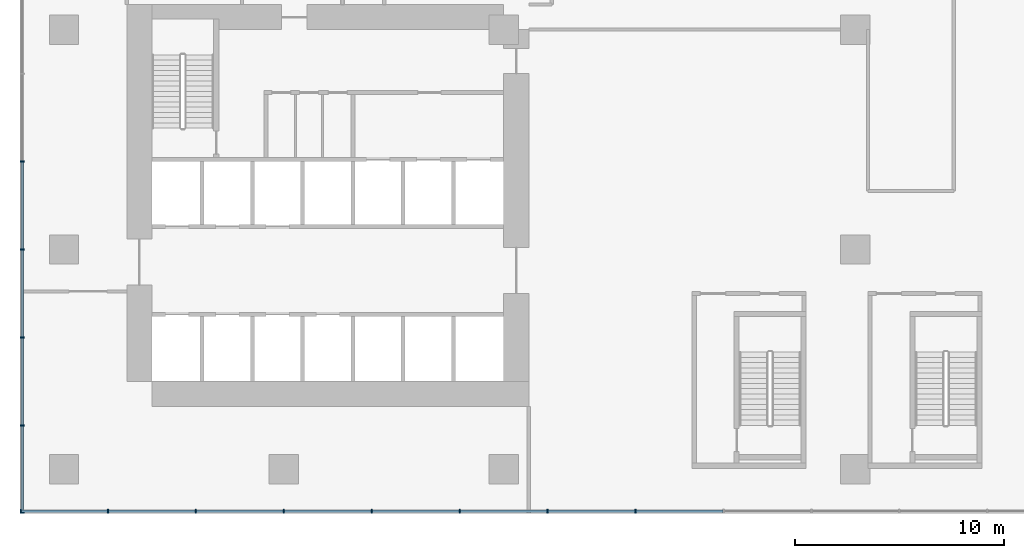
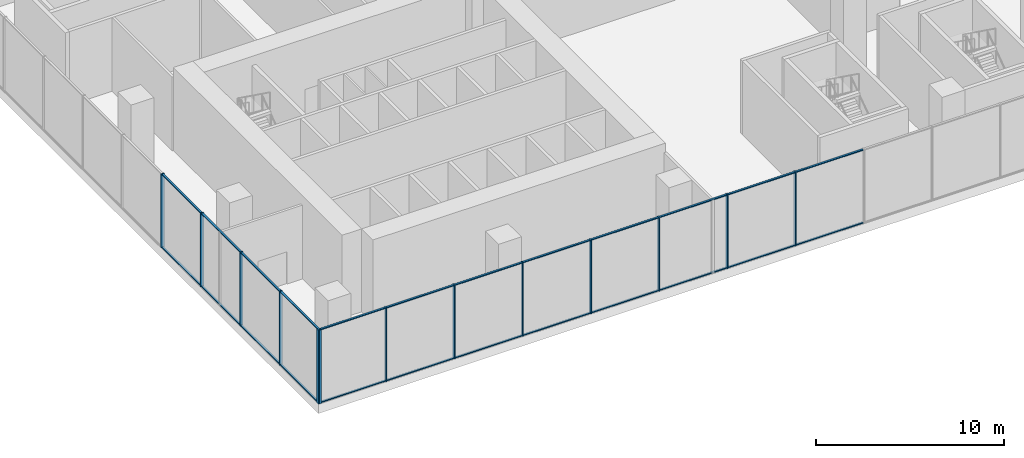
# One storey, part 2 of 22: 37 members, 2 elements without a shape of their own.
"""IFC4 building model written with IfcOpenShell, lengths in metres."""

import ifcopenshell
import ifcopenshell.guid

model = None  # the IFC model being written
_history = None  # IfcOwnerHistory: only IFC2X3 demands one
_inside = {}  # id of a spatial element -> (the spatial element, [elements in it])
_under = {}  # id of a project, library or spatial element -> (it, [spatial elements below it])
_declared = {}  # id of a project -> (the project, [libraries it declares])
_typed = {}  # id of a type object -> (the type object, [elements of that type])
_made_of = {}  # id of a material, layer set ... -> (it, [elements and type objects made of it])


def new_model(schema):
    """Start an empty IFC model of exactly this schema.

    Asked for "IFC4X3", IfcOpenShell would pick the latest addendum, in which some entities
    have other attributes; the version numbers below select the first issue.
    IFC2X3 requires an IfcOwnerHistory on every rooted entity: one is made here for all.
    """
    global model, _history
    if schema == "IFC4X3":
        model = ifcopenshell.file(schema_version=(4, 3, 0, 0))
    else:
        model = ifcopenshell.file(schema=schema)
    _inside.clear()
    _under.clear()
    _declared.clear()
    _typed.clear()
    _made_of.clear()
    _history = None
    if model.schema == "IFC2X3":
        org = make("IfcOrganization", Name="unknown")
        user = make(
            "IfcPersonAndOrganization",
            ThePerson=make("IfcPerson", FamilyName="unknown"),
            TheOrganization=org,
        )
        app = make(
            "IfcApplication",
            ApplicationDeveloper=org,
            Version="unknown",
            ApplicationFullName="unknown",
            ApplicationIdentifier="unknown",
        )
        _history = make(
            "IfcOwnerHistory",
            OwningUser=user,
            OwningApplication=app,
            ChangeAction="ADDED",
            CreationDate=0,
        )
    return model


def make(cls, **values):
    """One entity of the class cls with the attributes given. An attribute that is None is left unset."""
    return model.create_entity(
        cls, **{name: value for name, value in values.items() if value is not None}
    )


def rooted(cls, **values):
    """An entity with a GlobalId (a new one), such as an element, a storey or a relation."""
    return make(cls, GlobalId=ifcopenshell.guid.new(), OwnerHistory=_history, **values)


def si_unit(unit_type, name, prefix=None):
    """IfcSIUnit, for example si_unit("LENGTHUNIT", "METRE", prefix="MILLI")."""
    return make("IfcSIUnit", UnitType=unit_type, Prefix=prefix, Name=name)


def assignment(units):
    """IfcUnitAssignment: the units of a project."""
    return None if units is None else make("IfcUnitAssignment", Units=units)


def point(xyz):
    """IfcCartesianPoint."""
    return None if xyz is None else make("IfcCartesianPoint", Coordinates=xyz)


def direction(xyz):
    """IfcDirection."""
    return None if xyz is None else make("IfcDirection", DirectionRatios=xyz)


def frame(location, z_axis=None, x_axis=None):
    """IfcAxis2Placement3D, a coordinate frame: its origin and axes. An axis left out is left unset."""
    return make(
        "IfcAxis2Placement3D",
        Location=point(location),
        Axis=direction(z_axis),
        RefDirection=direction(x_axis),
    )


def frame_2d(location, x_axis=None):
    """IfcAxis2Placement2D, a coordinate frame in the plane: its origin and x axis."""
    return make(
        "IfcAxis2Placement2D", Location=point(location), RefDirection=direction(x_axis)
    )


def origin():
    """The frame at (0, 0, 0) with its axes left unset."""
    return frame((0.0, 0.0, 0.0))


def origin_2d():
    """The frame at (0, 0) in the plane with its x axis left unset."""
    return frame_2d((0.0, 0.0))


def place(relative_to, where):
    """IfcLocalPlacement: puts the frame where relative to a parent placement (None: the world)."""
    return make(
        "IfcLocalPlacement", PlacementRelTo=relative_to, RelativePlacement=where
    )


def context(
    kind, dimensions, precision=None, world=None, true_north=None, identifier=None
):
    """IfcGeometricRepresentationContext, for example the 3D "Model" context."""
    return make(
        "IfcGeometricRepresentationContext",
        ContextIdentifier=identifier,
        ContextType=kind,
        CoordinateSpaceDimension=dimensions,
        Precision=precision,
        WorldCoordinateSystem=world,
        TrueNorth=true_north,
    )


def subcontext(parent, identifier, kind, view, scale=None):
    """IfcGeometricRepresentationSubContext, for example "Body" below "Model"."""
    return make(
        "IfcGeometricRepresentationSubContext",
        ContextIdentifier=identifier,
        ContextType=kind,
        ParentContext=parent,
        TargetScale=scale,
        TargetView=view,
    )


def project(units=None, contexts=None):
    """IfcProject with its units and contexts."""
    return rooted(
        "IfcProject",
        Name="project",
        RepresentationContexts=contexts,
        UnitsInContext=assignment(units),
    )


def spatial(cls, under=None, at=None, **own):
    """A site, building, storey or space (cls), placed at a placement, below another one or the project."""
    s = rooted(cls, ObjectPlacement=at, **own)
    if under is not None:
        _under.setdefault(under.id(), (under, []))[1].append(s)
    return s


def profile(cls, at=None, kind="AREA", **sizes):
    """A parametric profile (cls). Its sizes go by their IFC names, for example OverallWidth=200.0."""
    return make(cls, ProfileType=kind, Position=at, **sizes)


def rectangle(**sizes):
    """IfcRectangleProfileDef."""
    return profile("IfcRectangleProfileDef", **sizes)


def extrude(swept, where, along, depth):
    """IfcExtrudedAreaSolid: the profile swept, set in the frame where, extruded along a direction by depth."""
    return make(
        "IfcExtrudedAreaSolid",
        SweptArea=swept,
        Position=where,
        ExtrudedDirection=direction(along),
        Depth=depth,
    )


def shape(context_of_items, identifier, shape_type, items):
    """IfcShapeRepresentation: the items that make up one representation, for example the "Body"."""
    return make(
        "IfcShapeRepresentation",
        ContextOfItems=context_of_items,
        RepresentationIdentifier=identifier,
        RepresentationType=shape_type,
        Items=items,
    )


def source(mapping_origin, context_of_items, identifier, shape_type, items):
    """IfcRepresentationMap: a shape defined once, which mapped items show again and again."""
    return make(
        "IfcRepresentationMap",
        MappingOrigin=mapping_origin,
        MappedRepresentation=shape(context_of_items, identifier, shape_type, items),
    )


def transform(
    local_origin,
    x_axis=None,
    y_axis=None,
    z_axis=None,
    scale=None,
    scale2=None,
    scale3=None,
    uniform=True,
):
    """IfcCartesianTransformationOperator3D, or its non-uniform kind. x_axis, y_axis, z_axis: its Axis1, 2, 3."""
    if uniform:
        return make(
            "IfcCartesianTransformationOperator3D",
            Axis1=direction(x_axis),
            Axis2=direction(y_axis),
            LocalOrigin=point(local_origin),
            Scale=scale,
            Axis3=direction(z_axis),
        )
    return make(
        "IfcCartesianTransformationOperator3DnonUniform",
        Axis1=direction(x_axis),
        Axis2=direction(y_axis),
        LocalOrigin=point(local_origin),
        Scale=scale,
        Axis3=direction(z_axis),
        Scale2=scale2,
        Scale3=scale3,
    )


def mapped(mapping_source, mapping_target):
    """IfcMappedItem: shows the shape of a source again, moved by a transform."""
    return make(
        "IfcMappedItem", MappingSource=mapping_source, MappingTarget=mapping_target
    )


def material(Name=None, Category=None):
    """IfcMaterial."""
    return make("IfcMaterial", Name=Name, Category=Category)


def layer(
    of_material, thickness, ventilated=None, Name=None, Category=None, Priority=None
):
    """IfcMaterialLayer: one layer of a wall or slab, of a material (None: an air gap)."""
    return make(
        "IfcMaterialLayer",
        Material=of_material,
        LayerThickness=thickness,
        IsVentilated=ventilated,
        Name=Name,
        Category=Category,
        Priority=Priority,
    )


def layer_set(layers, Name=None):
    """IfcMaterialLayerSet."""
    return make("IfcMaterialLayerSet", MaterialLayers=layers, LayerSetName=Name)


def material_profile(
    of_material, cross_section, Name=None, Category=None, Priority=None
):
    """IfcMaterialProfile: a cross section and its material."""
    return make(
        "IfcMaterialProfile",
        Name=Name,
        Material=of_material,
        Profile=cross_section,
        Priority=Priority,
        Category=Category,
    )


def profile_set(profiles, Name=None, composite=None):
    """IfcMaterialProfileSet."""
    return make(
        "IfcMaterialProfileSet",
        Name=Name,
        MaterialProfiles=profiles,
        CompositeProfile=composite,
    )


def made_of(thing, what):
    """Note that an element or type object is made of a material, layer set ...; save() writes the relation."""
    if what is not None:
        _made_of.setdefault(what.id(), (what, []))[1].append(thing)
    return thing


def type_object(cls, material=None, **own):
    """A type object (cls), such as IfcWallType, which elements share."""
    return made_of(rooted(cls, **own), material)


def element(
    cls,
    number,
    at=None,
    inside=None,
    cuts=None,
    type_object=None,
    material=None,
    context=None,
    identifier="Body",
    shape_type=None,
    held_by="IfcProductDefinitionShape",
    body=None,
    shapes=None,
    **own,
):
    """One element of the class cls, such as IfcWall. Its Tag is "e" and its number.

    at: its placement. inside: the storey or other place that contains it. cuts: it is an
    opening in that element (IfcRelVoidsElement). A single representation is given by context,
    identifier, shape_type and body (its items); several are given by shapes. held_by: the class
    of the entity that holds the representations. save() writes the other relations.
    """
    e = rooted(cls, Tag="e%d" % number, ObjectPlacement=at, **own)
    if body is not None:
        shapes = [shape(context, identifier, shape_type, body)]
    if shapes is not None:
        e.Representation = make(held_by, Representations=shapes)
    if inside is not None:
        _inside.setdefault(inside.id(), (inside, []))[1].append(e)
    if cuts is not None:
        rooted(
            "IfcRelVoidsElement", RelatingBuildingElement=cuts, RelatedOpeningElement=e
        )
    if type_object is not None:
        _typed.setdefault(type_object.id(), (type_object, []))[1].append(e)
    return made_of(e, material)


def aggregate(whole, parts):
    """IfcRelAggregates: a whole, such as a stair, and the parts it consists of."""
    return rooted("IfcRelAggregates", RelatingObject=whole, RelatedObjects=parts)


def save(model, path):
    """Write the relations noted so far, then the file.

    IfcRelAggregates (storeys below a building ...), IfcRelContainedInSpatialStructure (elements
    in a storey), IfcRelDefinesByType, IfcRelAssociatesMaterial and IfcRelDeclares: one each for
    every whole, place, type object, material and project.
    """
    for whole, parts in _under.values():
        aggregate(whole, parts)
    for where, things in _inside.values():
        rooted(
            "IfcRelContainedInSpatialStructure",
            RelatedElements=things,
            RelatingStructure=where,
        )
    for kind, things in _typed.values():
        rooted("IfcRelDefinesByType", RelatedObjects=things, RelatingType=kind)
    for what, things in _made_of.values():
        rooted("IfcRelAssociatesMaterial", RelatedObjects=things, RelatingMaterial=what)
    for by, libraries in _declared.values():
        rooted("IfcRelDeclares", RelatingContext=by, RelatedDefinitions=libraries)
    model.write(path)


model = new_model("IFC4")

# Units and contexts
model_context = context("Model", 3, precision=1e-05, world=origin(), true_north=direction((0.0, 1.0)))
body_context = subcontext(model_context, "Body", "Model", "MODEL_VIEW")
ifc_project = project(units=[si_unit("LENGTHUNIT", "METRE"), si_unit("AREAUNIT", "SQUARE_METRE"), si_unit("VOLUMEUNIT", "CUBIC_METRE"), si_unit("PLANEANGLEUNIT", "RADIAN"), si_unit("MASSUNIT", "GRAM", prefix="KILO")], contexts=[model_context])

# Site, building, storey
site_placement = place(None, origin())
site = spatial("IfcSite", under=ifc_project, at=site_placement, CompositionType="ELEMENT")
building_placement = place(site_placement, origin())
building = spatial("IfcBuilding", under=site, at=building_placement, Name="Aurelian Terraces", CompositionType="ELEMENT")
storey_placement = place(building_placement, frame((0.0, 0.0, 7.5)))
storey = spatial("IfcBuildingStorey", under=building, at=storey_placement, Name="L01", CompositionType="ELEMENT", Elevation=7.5)

# Curtain wall, members
ifc_material_1 = material(Name="Anodised aluminium and clear glazing", Category="aluminium")
ifc_layer = layer(ifc_material_1, 0.2)
ifc_layer_set = layer_set([ifc_layer], Name="Podium shopfront curtain wall")
curtain_wall_type = type_object("IfcCurtainWallType", Name="Podium shopfront curtain wall", PredefinedType="NOTDEFINED", material=ifc_layer_set)
curtain_wall_1_placement = place(storey_placement, origin())
curtain_wall_1 = element("IfcCurtainWall", 1, at=curtain_wall_1_placement, inside=storey, type_object=curtain_wall_type, Name="Podium shopfront L01 F01.1", PredefinedType="NOTDEFINED")
ifc_material_2 = material(Name="Anodised aluminium", Category="aluminium")
ifc_material_profile_1 = material_profile(ifc_material_2, rectangle(XDim=0.2, YDim=0.06, at=origin_2d()))
ifc_profile_set_1 = profile_set([ifc_material_profile_1], Name="Anodised aluminium")
member_type_1 = type_object("IfcMemberType", Name="Podium shopfront mullion", PredefinedType="MULLION", material=ifc_profile_set_1)
member_1_placement = place(storey_placement, frame((-2.07, -2.0, 0.0), z_axis=(0.0, 0.0, 1.0), x_axis=(0.0, 1.0, 0.0)))
member_1 = element("IfcMember", 2, at=member_1_placement, type_object=member_type_1, Name="CW1 mullion 1", PredefinedType="MULLION", context=body_context, shape_type="SweptSolid", body=[
    extrude(rectangle(XDim=0.2, YDim=0.06, at=origin_2d()), origin(), (0.0, 0.0, 1.0), 4.8),
])
ifc_material_profile_2 = material_profile(ifc_material_2, rectangle(XDim=0.12, YDim=0.06, at=origin_2d()))
ifc_profile_set_2 = profile_set([ifc_material_profile_2], Name="Anodised aluminium")
member_type_2 = type_object("IfcMemberType", Name="Podium shopfront transom", PredefinedType="USERDEFINED", material=ifc_profile_set_2)
member_2_placement = place(storey_placement, frame((-2.04, -2.0, 0.03), z_axis=(1.0, 0.0, 0.0), x_axis=(0.0, 1.0, 0.0)))
member_2 = element("IfcMember", 3, at=member_2_placement, type_object=member_type_2, Name="CW1 transom 1.1", ObjectType="TRANSOM", PredefinedType="USERDEFINED", context=body_context, shape_type="SweptSolid", body=[
    extrude(rectangle(XDim=0.12, YDim=0.06, at=origin_2d()), origin(), (0.0, 0.0, 1.0), 4.11),
])
member_3_placement = place(storey_placement, frame((2.13, -2.0, 0.03), z_axis=(1.0, 0.0, 0.0), x_axis=(0.0, 1.0, 0.0)))
member_3 = element("IfcMember", 4, at=member_3_placement, type_object=member_type_2, Name="CW1 transom 2.1", ObjectType="TRANSOM", PredefinedType="USERDEFINED", context=body_context, shape_type="SweptSolid", body=[
    extrude(rectangle(XDim=0.12, YDim=0.06, at=origin_2d()), origin(), (0.0, 0.0, 1.0), 4.14),
])
shared_shape_1 = source(origin(), body_context, "Body", "SweptSolid", [
    extrude(rectangle(XDim=0.2, YDim=0.06, at=origin_2d()), origin(), (0.0, 0.0, 1.0), 4.8),
])
member_4_placement = place(storey_placement, frame((2.1, -2.0, 0.0), z_axis=(0.0, 0.0, 1.0), x_axis=(0.0, 1.0, 0.0)))
member_4 = element("IfcMember", 5, at=member_4_placement, type_object=member_type_1, Name="CW1 mullion 2", PredefinedType="MULLION", context=body_context, shape_type="MappedRepresentation", body=[
    mapped(shared_shape_1, transform((0.0, 0.0, 0.0), scale=1.0)),
])
member_5_placement = place(storey_placement, frame((6.3, -2.0, 0.0), z_axis=(0.0, 0.0, 1.0), x_axis=(0.0, 1.0, 0.0)))
member_5 = element("IfcMember", 6, at=member_5_placement, type_object=member_type_1, Name="CW1 mullion 3", PredefinedType="MULLION", context=body_context, shape_type="MappedRepresentation", body=[
    mapped(shared_shape_1, transform((0.0, 0.0, 0.0), scale=1.0)),
])
member_6_placement = place(storey_placement, frame((10.5, -2.0, 0.0), z_axis=(0.0, 0.0, 1.0), x_axis=(0.0, 1.0, 0.0)))
member_6 = element("IfcMember", 7, at=member_6_placement, type_object=member_type_1, Name="CW1 mullion 4", PredefinedType="MULLION", context=body_context, shape_type="MappedRepresentation", body=[
    mapped(shared_shape_1, transform((0.0, 0.0, 0.0), scale=1.0)),
])
member_7_placement = place(storey_placement, frame((14.7, -2.0, 0.0), z_axis=(0.0, 0.0, 1.0), x_axis=(0.0, 1.0, 0.0)))
member_7 = element("IfcMember", 8, at=member_7_placement, type_object=member_type_1, Name="CW1 mullion 5", PredefinedType="MULLION", context=body_context, shape_type="MappedRepresentation", body=[
    mapped(shared_shape_1, transform((0.0, 0.0, 0.0), scale=1.0)),
])
member_8_placement = place(storey_placement, frame((18.9, -2.0, 0.0), z_axis=(0.0, 0.0, 1.0), x_axis=(0.0, 1.0, 0.0)))
member_8 = element("IfcMember", 9, at=member_8_placement, type_object=member_type_1, Name="CW1 mullion 6", PredefinedType="MULLION", context=body_context, shape_type="MappedRepresentation", body=[
    mapped(shared_shape_1, transform((0.0, 0.0, 0.0), scale=1.0)),
])
member_9_placement = place(storey_placement, frame((23.1, -2.0, 0.0), z_axis=(0.0, 0.0, 1.0), x_axis=(0.0, 1.0, 0.0)))
member_9 = element("IfcMember", 10, at=member_9_placement, type_object=member_type_1, Name="CW1 mullion 7", PredefinedType="MULLION", context=body_context, shape_type="MappedRepresentation", body=[
    mapped(shared_shape_1, transform((0.0, 0.0, 0.0), scale=1.0)),
])
member_10_placement = place(storey_placement, frame((27.3, -2.0, 0.0), z_axis=(0.0, 0.0, 1.0), x_axis=(0.0, 1.0, 0.0)))
member_10 = element("IfcMember", 11, at=member_10_placement, type_object=member_type_1, Name="CW1 mullion 8", PredefinedType="MULLION", context=body_context, shape_type="MappedRepresentation", body=[
    mapped(shared_shape_1, transform((0.0, 0.0, 0.0), scale=1.0)),
])

curtain_wall_2_placement = place(storey_placement, origin())
curtain_wall_2 = element("IfcCurtainWall", 12, at=curtain_wall_2_placement, inside=storey, type_object=curtain_wall_type, Name="Podium shopfront L01 F06.1", PredefinedType="NOTDEFINED")
member_11_placement = place(storey_placement, frame((-2.0, 14.7, 0.0), z_axis=(0.0, 0.0, 1.0), x_axis=(1.0, 0.0, 0.0)))
member_11 = element("IfcMember", 13, at=member_11_placement, type_object=member_type_1, Name="CW1 mullion 18", PredefinedType="MULLION", context=body_context, shape_type="MappedRepresentation", body=[
    mapped(shared_shape_1, transform((0.0, 0.0, 0.0), scale=1.0)),
])
member_12_placement = place(storey_placement, frame((-2.0, 10.5, 0.0), z_axis=(0.0, 0.0, 1.0), x_axis=(1.0, 0.0, 0.0)))
member_12 = element("IfcMember", 14, at=member_12_placement, type_object=member_type_1, Name="CW1 mullion 19", PredefinedType="MULLION", context=body_context, shape_type="MappedRepresentation", body=[
    mapped(shared_shape_1, transform((0.0, 0.0, 0.0), scale=1.0)),
])
member_13_placement = place(storey_placement, frame((-2.0, 6.3, 0.0), z_axis=(0.0, 0.0, 1.0), x_axis=(1.0, 0.0, 0.0)))
member_13 = element("IfcMember", 15, at=member_13_placement, type_object=member_type_1, Name="CW1 mullion 20", PredefinedType="MULLION", context=body_context, shape_type="MappedRepresentation", body=[
    mapped(shared_shape_1, transform((0.0, 0.0, 0.0), scale=1.0)),
])
member_14_placement = place(storey_placement, frame((-2.0, 2.1, 0.0), z_axis=(0.0, 0.0, 1.0), x_axis=(1.0, 0.0, 0.0)))
member_14 = element("IfcMember", 16, at=member_14_placement, type_object=member_type_1, Name="CW1 mullion 21", PredefinedType="MULLION", context=body_context, shape_type="MappedRepresentation", body=[
    mapped(shared_shape_1, transform((0.0, 0.0, 0.0), scale=1.0)),
])
member_15_placement = place(storey_placement, frame((-2.0, -2.07, 0.0), z_axis=(0.0, 0.0, 1.0), x_axis=(1.0, 0.0, 0.0)))
member_15 = element("IfcMember", 17, at=member_15_placement, type_object=member_type_1, Name="CW1 mullion 22", PredefinedType="MULLION", context=body_context, shape_type="MappedRepresentation", body=[
    mapped(shared_shape_1, transform((0.0, 0.0, 0.0), scale=1.0)),
])

# Member
shared_shape_2 = source(origin(), body_context, "Body", "SweptSolid", [
    extrude(rectangle(XDim=0.12, YDim=0.06, at=origin_2d()), origin(), (0.0, 0.0, 1.0), 4.11),
])
member_16_placement = place(storey_placement, frame((-2.04, -2.0, 4.77), z_axis=(1.0, 0.0, 0.0), x_axis=(0.0, 1.0, 0.0)))
member_16 = element("IfcMember", 18, at=member_16_placement, type_object=member_type_2, Name="CW1 transom 1.2", ObjectType="TRANSOM", PredefinedType="USERDEFINED", context=body_context, shape_type="MappedRepresentation", body=[
    mapped(shared_shape_2, transform((0.0, 0.0, 0.0), scale=1.0)),
])

member_17_placement = place(storey_placement, frame((-2.0, 2.07, 0.03), z_axis=(0.0, -1.0, 0.0), x_axis=(1.0, 0.0, 0.0)))
member_17 = element("IfcMember", 19, at=member_17_placement, type_object=member_type_2, Name="CW1 transom 21.1", ObjectType="TRANSOM", PredefinedType="USERDEFINED", context=body_context, shape_type="MappedRepresentation", body=[
    mapped(shared_shape_2, transform((0.0, 0.0, 0.0), scale=1.0)),
])

member_18_placement = place(storey_placement, frame((-2.0, 2.07, 4.77), z_axis=(0.0, -1.0, 0.0), x_axis=(1.0, 0.0, 0.0)))
member_18 = element("IfcMember", 20, at=member_18_placement, type_object=member_type_2, Name="CW1 transom 21.2", ObjectType="TRANSOM", PredefinedType="USERDEFINED", context=body_context, shape_type="MappedRepresentation", body=[
    mapped(shared_shape_2, transform((0.0, 0.0, 0.0), scale=1.0)),
])

shared_shape_3 = source(origin(), body_context, "Body", "SweptSolid", [
    extrude(rectangle(XDim=0.12, YDim=0.06, at=origin_2d()), origin(), (0.0, 0.0, 1.0), 4.14),
])
member_19_placement = place(storey_placement, frame((2.13, -2.0, 4.77), z_axis=(1.0, 0.0, 0.0), x_axis=(0.0, 1.0, 0.0)))
member_19 = element("IfcMember", 21, at=member_19_placement, type_object=member_type_2, Name="CW1 transom 2.2", ObjectType="TRANSOM", PredefinedType="USERDEFINED", context=body_context, shape_type="MappedRepresentation", body=[
    mapped(shared_shape_3, transform((0.0, 0.0, 0.0), scale=1.0)),
])

member_20_placement = place(storey_placement, frame((6.33, -2.0, 0.03), z_axis=(1.0, 0.0, 0.0), x_axis=(0.0, 1.0, 0.0)))
member_20 = element("IfcMember", 22, at=member_20_placement, type_object=member_type_2, Name="CW1 transom 3.1", ObjectType="TRANSOM", PredefinedType="USERDEFINED", context=body_context, shape_type="MappedRepresentation", body=[
    mapped(shared_shape_3, transform((0.0, 0.0, 0.0), scale=1.0)),
])

member_21_placement = place(storey_placement, frame((6.33, -2.0, 4.77), z_axis=(1.0, 0.0, 0.0), x_axis=(0.0, 1.0, 0.0)))
member_21 = element("IfcMember", 23, at=member_21_placement, type_object=member_type_2, Name="CW1 transom 3.2", ObjectType="TRANSOM", PredefinedType="USERDEFINED", context=body_context, shape_type="MappedRepresentation", body=[
    mapped(shared_shape_3, transform((0.0, 0.0, 0.0), scale=1.0)),
])

member_22_placement = place(storey_placement, frame((10.53, -2.0, 0.03), z_axis=(1.0, 0.0, 0.0), x_axis=(0.0, 1.0, 0.0)))
member_22 = element("IfcMember", 24, at=member_22_placement, type_object=member_type_2, Name="CW1 transom 4.1", ObjectType="TRANSOM", PredefinedType="USERDEFINED", context=body_context, shape_type="MappedRepresentation", body=[
    mapped(shared_shape_3, transform((0.0, 0.0, 0.0), scale=1.0)),
])

member_23_placement = place(storey_placement, frame((10.53, -2.0, 4.77), z_axis=(1.0, 0.0, 0.0), x_axis=(0.0, 1.0, 0.0)))
member_23 = element("IfcMember", 25, at=member_23_placement, type_object=member_type_2, Name="CW1 transom 4.2", ObjectType="TRANSOM", PredefinedType="USERDEFINED", context=body_context, shape_type="MappedRepresentation", body=[
    mapped(shared_shape_3, transform((0.0, 0.0, 0.0), scale=1.0)),
])

member_24_placement = place(storey_placement, frame((14.73, -2.0, 0.03), z_axis=(1.0, 0.0, 0.0), x_axis=(0.0, 1.0, 0.0)))
member_24 = element("IfcMember", 26, at=member_24_placement, type_object=member_type_2, Name="CW1 transom 5.1", ObjectType="TRANSOM", PredefinedType="USERDEFINED", context=body_context, shape_type="MappedRepresentation", body=[
    mapped(shared_shape_3, transform((0.0, 0.0, 0.0), scale=1.0)),
])

member_25_placement = place(storey_placement, frame((14.73, -2.0, 4.77), z_axis=(1.0, 0.0, 0.0), x_axis=(0.0, 1.0, 0.0)))
member_25 = element("IfcMember", 27, at=member_25_placement, type_object=member_type_2, Name="CW1 transom 5.2", ObjectType="TRANSOM", PredefinedType="USERDEFINED", context=body_context, shape_type="MappedRepresentation", body=[
    mapped(shared_shape_3, transform((0.0, 0.0, 0.0), scale=1.0)),
])

member_26_placement = place(storey_placement, frame((18.93, -2.0, 0.03), z_axis=(1.0, 0.0, 0.0), x_axis=(0.0, 1.0, 0.0)))
member_26 = element("IfcMember", 28, at=member_26_placement, type_object=member_type_2, Name="CW1 transom 6.1", ObjectType="TRANSOM", PredefinedType="USERDEFINED", context=body_context, shape_type="MappedRepresentation", body=[
    mapped(shared_shape_3, transform((0.0, 0.0, 0.0), scale=1.0)),
])

member_27_placement = place(storey_placement, frame((18.93, -2.0, 4.77), z_axis=(1.0, 0.0, 0.0), x_axis=(0.0, 1.0, 0.0)))
member_27 = element("IfcMember", 29, at=member_27_placement, type_object=member_type_2, Name="CW1 transom 6.2", ObjectType="TRANSOM", PredefinedType="USERDEFINED", context=body_context, shape_type="MappedRepresentation", body=[
    mapped(shared_shape_3, transform((0.0, 0.0, 0.0), scale=1.0)),
])

member_28_placement = place(storey_placement, frame((23.13, -2.0, 0.03), z_axis=(1.0, 0.0, 0.0), x_axis=(0.0, 1.0, 0.0)))
member_28 = element("IfcMember", 30, at=member_28_placement, type_object=member_type_2, Name="CW1 transom 7.1", ObjectType="TRANSOM", PredefinedType="USERDEFINED", context=body_context, shape_type="MappedRepresentation", body=[
    mapped(shared_shape_3, transform((0.0, 0.0, 0.0), scale=1.0)),
])

member_29_placement = place(storey_placement, frame((23.13, -2.0, 4.77), z_axis=(1.0, 0.0, 0.0), x_axis=(0.0, 1.0, 0.0)))
member_29 = element("IfcMember", 31, at=member_29_placement, type_object=member_type_2, Name="CW1 transom 7.2", ObjectType="TRANSOM", PredefinedType="USERDEFINED", context=body_context, shape_type="MappedRepresentation", body=[
    mapped(shared_shape_3, transform((0.0, 0.0, 0.0), scale=1.0)),
])

member_30_placement = place(storey_placement, frame((27.33, -2.0, 0.03), z_axis=(1.0, 0.0, 0.0), x_axis=(0.0, 1.0, 0.0)))
member_30 = element("IfcMember", 32, at=member_30_placement, type_object=member_type_2, Name="CW1 transom 8.1", ObjectType="TRANSOM", PredefinedType="USERDEFINED", context=body_context, shape_type="MappedRepresentation", body=[
    mapped(shared_shape_3, transform((0.0, 0.0, 0.0), scale=1.0)),
])

member_31_placement = place(storey_placement, frame((27.33, -2.0, 4.77), z_axis=(1.0, 0.0, 0.0), x_axis=(0.0, 1.0, 0.0)))
member_31 = element("IfcMember", 33, at=member_31_placement, type_object=member_type_2, Name="CW1 transom 8.2", ObjectType="TRANSOM", PredefinedType="USERDEFINED", context=body_context, shape_type="MappedRepresentation", body=[
    mapped(shared_shape_3, transform((0.0, 0.0, 0.0), scale=1.0)),
])

aggregate(curtain_wall_1, [member_1, member_4, member_5, member_6, member_7, member_8, member_9, member_10, member_2, member_16, member_3, member_19, member_20, member_21, member_22, member_23, member_24, member_25, member_26, member_27, member_28, member_29, member_30, member_31])

member_32_placement = place(storey_placement, frame((-2.0, 14.67, 0.03), z_axis=(0.0, -1.0, 0.0), x_axis=(1.0, 0.0, 0.0)))
member_32 = element("IfcMember", 34, at=member_32_placement, type_object=member_type_2, Name="CW1 transom 18.1", ObjectType="TRANSOM", PredefinedType="USERDEFINED", context=body_context, shape_type="MappedRepresentation", body=[
    mapped(shared_shape_3, transform((0.0, 0.0, 0.0), scale=1.0)),
])

member_33_placement = place(storey_placement, frame((-2.0, 14.67, 4.77), z_axis=(0.0, -1.0, 0.0), x_axis=(1.0, 0.0, 0.0)))
member_33 = element("IfcMember", 35, at=member_33_placement, type_object=member_type_2, Name="CW1 transom 18.2", ObjectType="TRANSOM", PredefinedType="USERDEFINED", context=body_context, shape_type="MappedRepresentation", body=[
    mapped(shared_shape_3, transform((0.0, 0.0, 0.0), scale=1.0)),
])

member_34_placement = place(storey_placement, frame((-2.0, 10.47, 0.03), z_axis=(0.0, -1.0, 0.0), x_axis=(1.0, 0.0, 0.0)))
member_34 = element("IfcMember", 36, at=member_34_placement, type_object=member_type_2, Name="CW1 transom 19.1", ObjectType="TRANSOM", PredefinedType="USERDEFINED", context=body_context, shape_type="MappedRepresentation", body=[
    mapped(shared_shape_3, transform((0.0, 0.0, 0.0), scale=1.0)),
])

member_35_placement = place(storey_placement, frame((-2.0, 10.47, 4.77), z_axis=(0.0, -1.0, 0.0), x_axis=(1.0, 0.0, 0.0)))
member_35 = element("IfcMember", 37, at=member_35_placement, type_object=member_type_2, Name="CW1 transom 19.2", ObjectType="TRANSOM", PredefinedType="USERDEFINED", context=body_context, shape_type="MappedRepresentation", body=[
    mapped(shared_shape_3, transform((0.0, 0.0, 0.0), scale=1.0)),
])

member_36_placement = place(storey_placement, frame((-2.0, 6.27, 0.03), z_axis=(0.0, -1.0, 0.0), x_axis=(1.0, 0.0, 0.0)))
member_36 = element("IfcMember", 38, at=member_36_placement, type_object=member_type_2, Name="CW1 transom 20.1", ObjectType="TRANSOM", PredefinedType="USERDEFINED", context=body_context, shape_type="MappedRepresentation", body=[
    mapped(shared_shape_3, transform((0.0, 0.0, 0.0), scale=1.0)),
])

member_37_placement = place(storey_placement, frame((-2.0, 6.27, 4.77), z_axis=(0.0, -1.0, 0.0), x_axis=(1.0, 0.0, 0.0)))
member_37 = element("IfcMember", 39, at=member_37_placement, type_object=member_type_2, Name="CW1 transom 20.2", ObjectType="TRANSOM", PredefinedType="USERDEFINED", context=body_context, shape_type="MappedRepresentation", body=[
    mapped(shared_shape_3, transform((0.0, 0.0, 0.0), scale=1.0)),
])

aggregate(curtain_wall_2, [member_11, member_12, member_13, member_14, member_15, member_32, member_33, member_34, member_35, member_36, member_37, member_17, member_18])

save(model, "model.ifc")
